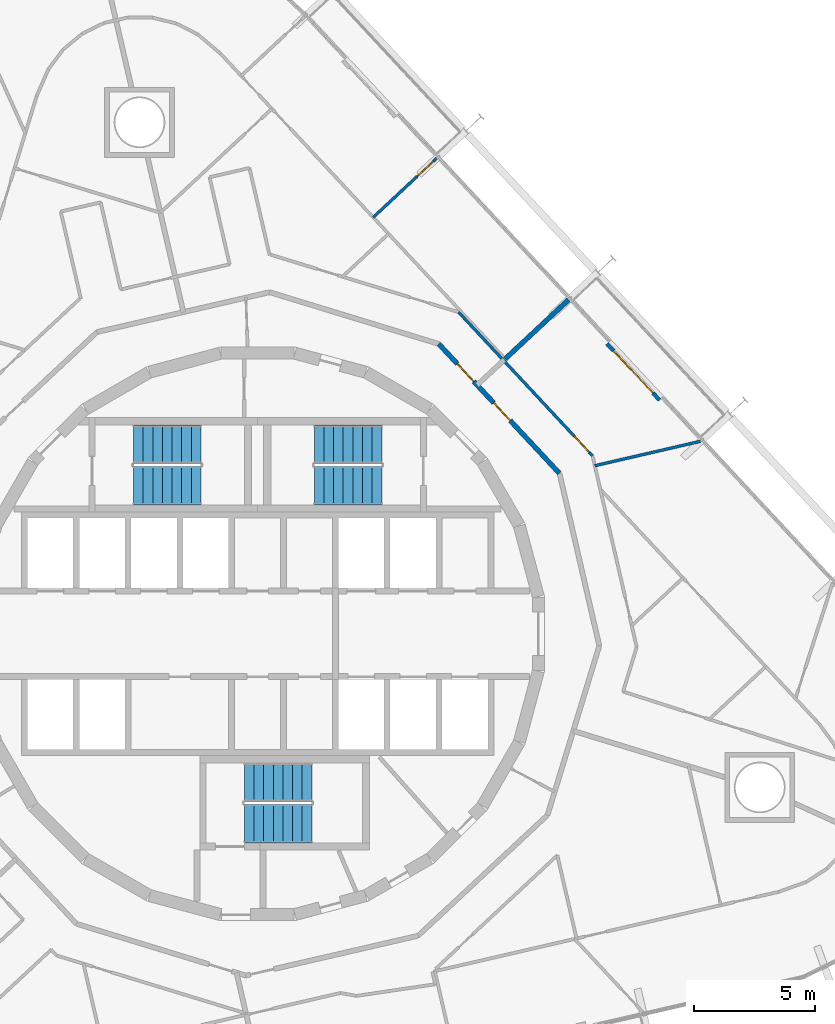
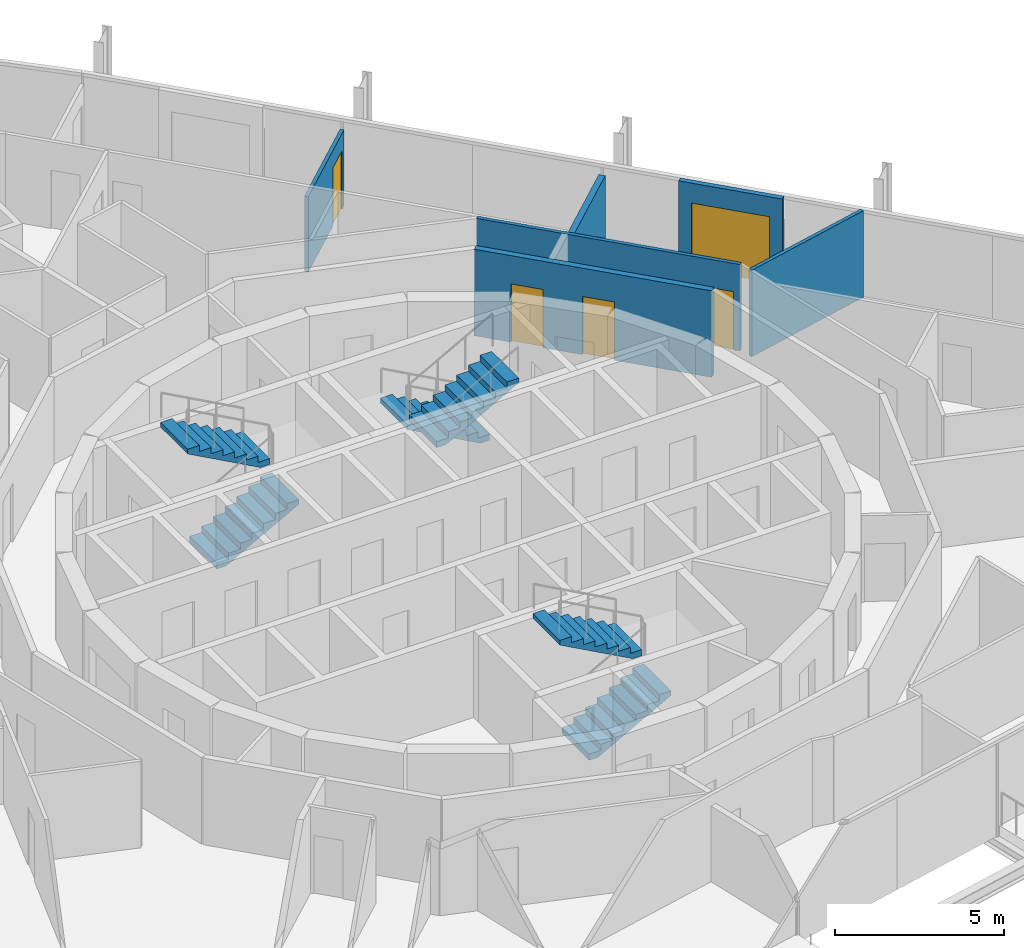
# One storey, part 17 of 18: 6 stair flights, 6 walls, 5 doors, 5 openings, 3 elements without a shape of their own.
"""IFC4 building model written with IfcOpenShell, lengths in metres."""

from ifc_helpers import new_model, si_unit, direction, frame, frame_2d, origin, place, context, subcontext, project, spatial, polyline, rectangle, outline, extrude, material, layer, layer_set, type_object, element, fill, aggregate, save


model = new_model("IFC4")

# Units and contexts
model_context = context("Model", 3, precision=1e-05, world=origin(), true_north=direction((0.0, 1.0)))
body_context = subcontext(model_context, "Body", "Model", "MODEL_VIEW")
ifc_project = project(units=[si_unit("LENGTHUNIT", "METRE"), si_unit("AREAUNIT", "SQUARE_METRE"), si_unit("VOLUMEUNIT", "CUBIC_METRE"), si_unit("PLANEANGLEUNIT", "RADIAN"), si_unit("MASSUNIT", "GRAM", prefix="KILO")], contexts=[model_context])

# Site, building, storey
site_placement = place(None, origin())
site = spatial("IfcSite", under=ifc_project, at=site_placement, CompositionType="ELEMENT")
building_placement = place(site_placement, origin())
building = spatial("IfcBuilding", under=site, at=building_placement, Name="Spindle Arch Residences", CompositionType="ELEMENT")
storey_placement = place(building_placement, frame((0.0, 0.0, 120.39990234375)))
storey = spatial("IfcBuildingStorey", under=building, at=storey_placement, Name="L29", CompositionType="ELEMENT", Elevation=120.39990234375)

# Wall, openings, doors
ifc_material_1 = material(Name="Calcium silicate block, plastered")
ifc_layer_1 = layer(ifc_material_1, 0.199951171875)
ifc_layer_set_1 = layer_set([ifc_layer_1], Name="Corridor wall 200")
wall_type_1 = type_object("IfcWallType", Name="Corridor wall 200", PredefinedType="STANDARD", material=ifc_layer_set_1)
wall_1_placement = place(storey_placement, frame((12.523193359375, 6.65869140625, 0.0), z_axis=(0.0, 0.0, 1.0), x_axis=(-0.682001841105, 0.731350455479, 0.0)))
wall_1 = element("IfcWall", 1, at=wall_1_placement, inside=storey, type_object=wall_type_1, Name="Corridor wall R3A0-W006", PredefinedType="STANDARD", context=body_context, shape_type="SweptSolid", body=[
    extrude(rectangle(XDim=7.341796875, YDim=0.199951171875, at=frame_2d((3.6708984375, 0.0))), origin(), (0.0, 0.0, 1.0), 3.1201171875),
])
opening_1_placement = place(wall_1_placement, frame((3.0, 0.0, 0.0)))
opening_1 = element("IfcOpeningElement", 2, at=opening_1_placement, cuts=wall_1, Name="Opening R3A0-FD01", PredefinedType="OPENING", context=body_context, shape_type="SweptSolid", body=[
    extrude(rectangle(XDim=1.0, YDim=2.10009765625, at=frame_2d((0.5, 1.050048828125))), frame((0.0, 0.10986328125, 0.0), z_axis=(0.0, -1.0, 0.0), x_axis=(1.0, 0.0, 0.0)), (0.0, 0.0, 1.0), 0.219970703125),
])
opening_2_placement = place(wall_1_placement, frame((5.209228515625, 0.0, 0.0)))
opening_2 = element("IfcOpeningElement", 3, at=opening_2_placement, cuts=wall_1, Name="Opening R3A0-FD02", PredefinedType="OPENING", context=body_context, shape_type="SweptSolid", body=[
    extrude(rectangle(XDim=1.0, YDim=2.10009765625, at=frame_2d((0.5, 1.050048828125))), frame((0.0, 0.10986328125, 0.0), z_axis=(0.0, -1.0, 0.0), x_axis=(1.0, 0.0, 0.0)), (0.0, 0.0, 1.0), 0.219970703125),
])
ifc_material_2 = material(Name="Timber, fire-resisting door set", Category="wood")
door_type_1 = type_object("IfcDoorType", Name="Flat entrance door 1000x2100", OperationType="NOTDEFINED", PredefinedType="DOOR", material=ifc_material_2)
door_1_placement = place(opening_1_placement, origin())
door_1 = element("IfcDoor", 4, at=door_1_placement, inside=storey, type_object=door_type_1, Name="Flat entrance door R3A0-FD01", OperationType="SINGLE_SWING_LEFT", OverallHeight=2.10009765625, OverallWidth=1.0, PredefinedType="DOOR", context=body_context, shape_type="SweptSolid", body=[
    extrude(rectangle(XDim=1.0, YDim=2.10009765625, at=frame_2d((0.5, 1.050048828125))), frame((0.0, 0.02490234375, 0.0), z_axis=(0.0, -1.0, 0.0), x_axis=(1.0, 0.0, 0.0)), (0.0, 0.0, 1.0), 0.050048828125),
])
fill(opening_1, door_1)
door_2_placement = place(opening_2_placement, origin())
door_2 = element("IfcDoor", 5, at=door_2_placement, inside=storey, type_object=door_type_1, Name="Flat entrance door R3A0-FD02", OperationType="SINGLE_SWING_RIGHT", OverallHeight=2.10009765625, OverallWidth=1.0, PredefinedType="DOOR", context=body_context, shape_type="SweptSolid", body=[
    extrude(rectangle(XDim=1.0, YDim=2.10009765625, at=frame_2d((0.5, 1.050048828125))), frame((0.0, 0.02490234375, 0.0), z_axis=(0.0, -1.0, 0.0), x_axis=(1.0, 0.0, 0.0)), (0.0, 0.0, 1.0), 0.050048828125),
])
fill(opening_2, door_2)

# Wall, opening, door
ifc_material_3 = material(Name="Plasterboard on steel studs", Category="steel")
ifc_layer_2 = layer(ifc_material_3, 0.1201171875)
ifc_layer_set_2 = layer_set([ifc_layer_2], Name="Flat partition 120")
wall_type_2 = type_object("IfcWallType", Name="Flat partition 120", PredefinedType="PARTITIONING", material=ifc_layer_set_2)
wall_2_placement = place(storey_placement, frame((13.894287109375, 7.3876953125, 0.0), z_axis=(0.0, 0.0, 1.0), x_axis=(-0.681994622729, 0.731357186721, 0.0)))
wall_2 = element("IfcWall", 6, at=wall_2_placement, inside=storey, type_object=wall_type_2, Name="Flat partition R3A0-W031", PredefinedType="PARTITIONING", context=body_context, shape_type="SweptSolid", body=[
    extrude(rectangle(XDim=8.145751953125, YDim=0.1201171875, at=frame_2d((4.07275390625, 0.0))), origin(), (0.0, 0.0, 1.0), 3.1201171875),
])
opening_3_placement = place(wall_2_placement, frame((0.199951171875, 0.0, 0.0)))
opening_3 = element("IfcOpeningElement", 7, at=opening_3_placement, cuts=wall_2, Name="Opening R3A0-ID01", PredefinedType="OPENING", context=body_context, shape_type="SweptSolid", body=[
    extrude(rectangle(XDim=0.89990234375, YDim=2.10009765625, at=frame_2d((0.449951171875, 1.050048828125))), frame((0.0, 0.070068359375, 0.0), z_axis=(0.0, -1.0, 0.0), x_axis=(1.0, 0.0, 0.0)), (0.0, 0.0, 1.0), 0.14013671875),
])
ifc_material_4 = material(Name="Timber door set", Category="wood")
door_type_2 = type_object("IfcDoorType", Name="Room door 900x2100", OperationType="NOTDEFINED", PredefinedType="DOOR", material=ifc_material_4)
door_3_placement = place(opening_3_placement, origin())
door_3 = element("IfcDoor", 8, at=door_3_placement, inside=storey, type_object=door_type_2, Name="Room door R3A0-ID01", OperationType="SINGLE_SWING_LEFT", OverallHeight=2.10009765625, OverallWidth=0.89990234375, PredefinedType="DOOR", context=body_context, shape_type="SweptSolid", body=[
    extrude(rectangle(XDim=0.89990234375, YDim=2.10009765625, at=frame_2d((0.449951171875, 1.050048828125))), frame((0.0, 0.02490234375, 0.0), z_axis=(0.0, -1.0, 0.0), x_axis=(1.0, 0.0, 0.0)), (0.0, 0.0, 1.0), 0.050048828125),
])
fill(opening_3, door_3)

# Wall
wall_3_placement = place(storey_placement, frame((18.379150390625, 7.989990234375, 0.0), z_axis=(0.0, 0.0, 1.0), x_axis=(-0.974372926515, -0.224938658471, 0.0)))
element("IfcWall", 9, at=wall_3_placement, inside=storey, type_object=wall_type_2, Name="Flat partition R3A0-W036", PredefinedType="PARTITIONING", context=body_context, shape_type="SweptSolid", body=[
    extrude(rectangle(XDim=4.50537109375, YDim=0.1201171875, at=frame_2d((2.252685546875, 0.0))), origin(), (0.0, 0.0, 1.0), 3.1201171875),
])

# Wall, opening, door
ifc_material_5 = material(Name="Plasterboard on steel studs", Category="steel")
ifc_layer_3 = layer(ifc_material_5, 0.1201171875)
ifc_layer_set_3 = layer_set([ifc_layer_3], Name="Flat partition 120 under beam 2730")
wall_type_3 = type_object("IfcWallType", Name="Flat partition 120 under beam 2730", PredefinedType="PARTITIONING", material=ifc_layer_set_3)
wall_4_placement = place(storey_placement, frame((7.427490234375, 19.734375, 0.0), z_axis=(0.0, 0.0, 1.0), x_axis=(-0.73139345201, -0.681955730497, 0.0)))
wall_4 = element("IfcWall", 10, at=wall_4_placement, inside=storey, type_object=wall_type_3, Name="Flat partition R3A0-W050", PredefinedType="PARTITIONING", context=body_context, shape_type="SweptSolid", body=[
    extrude(rectangle(XDim=3.60009765625, YDim=0.1201171875, at=frame_2d((1.800048828125, 0.0))), origin(), (0.0, 0.0, 1.0), 2.72998046875),
])
opening_4_placement = place(wall_4_placement, frame((0.199951171875, 0.0, 0.0)))
opening_4 = element("IfcOpeningElement", 11, at=opening_4_placement, cuts=wall_4, Name="Opening R3A0-ID09", PredefinedType="OPENING", context=body_context, shape_type="SweptSolid", body=[
    extrude(rectangle(XDim=0.89990234375, YDim=2.10009765625, at=frame_2d((0.449951171875, 1.050048828125))), frame((0.0, 0.070068359375, 0.0), z_axis=(0.0, -1.0, 0.0), x_axis=(1.0, 0.0, 0.0)), (0.0, 0.0, 1.0), 0.14013671875),
])
door_4_placement = place(opening_4_placement, origin())
door_4 = element("IfcDoor", 12, at=door_4_placement, inside=storey, type_object=door_type_2, Name="Room door R3A0-ID09", OperationType="SINGLE_SWING_LEFT", OverallHeight=2.10009765625, OverallWidth=0.89990234375, PredefinedType="DOOR", context=body_context, shape_type="SweptSolid", body=[
    extrude(rectangle(XDim=0.89990234375, YDim=2.10009765625, at=frame_2d((0.449951171875, 1.050048828125))), frame((0.0, 0.02490234375, 0.0), z_axis=(0.0, -1.0, 0.0), x_axis=(1.0, 0.0, 0.0)), (0.0, 0.0, 1.0), 0.050048828125),
])
fill(opening_4, door_4)

# Wall
ifc_material_6 = material(Name="Calcium silicate block, plastered")
ifc_layer_4 = layer(ifc_material_6, 0.199951171875)
ifc_layer_set_4 = layer_set([ifc_layer_4], Name="Flat party wall 200 under beam 2730")
wall_type_4 = type_object("IfcWallType", Name="Flat party wall 200 under beam 2730", PredefinedType="STANDARD", material=ifc_layer_set_4)
wall_5_placement = place(storey_placement, frame((12.9033203125, 13.8623046875, 0.0), z_axis=(0.0, 0.0, 1.0), x_axis=(-0.731328084739, -0.682025829769, 0.0)))
element("IfcWall", 13, at=wall_5_placement, inside=storey, type_object=wall_type_4, Name="Flat party wall R3A0-W019", PredefinedType="STANDARD", context=body_context, shape_type="SweptSolid", body=[
    extrude(rectangle(XDim=3.60009765625, YDim=0.199951171875, at=frame_2d((1.800048828125, 0.0))), origin(), (0.0, 0.0, 1.0), 2.72998046875),
])

# Wall, opening, door
ifc_material_7 = material(Name="Non-combustible mineral wool insulated aluminium faced external wall (K0)", Category="aluminium")
ifc_layer_5 = layer(ifc_material_7, 0.159912109375)
ifc_layer_set_5 = layer_set([ifc_layer_5], Name="Insulated external wall panel 160")
wall_type_5 = type_object("IfcWallType", Name="Insulated external wall panel 160", PredefinedType="STANDARD", material=ifc_layer_set_5)
wall_6_placement = place(storey_placement, frame((16.673828125, 9.701416015625, 0.0), z_axis=(0.0, 0.0, 1.0), x_axis=(-0.681994703002, 0.731357111866, 0.0)))
wall_6 = element("IfcWall", 14, at=wall_6_placement, inside=storey, type_object=wall_type_5, Name="External wall L29 bay 7", PredefinedType="STANDARD", context=body_context, shape_type="SweptSolid", body=[
    extrude(rectangle(XDim=3.199951171875, YDim=0.159912109375, at=frame_2d((1.60009765625, 0.0))), origin(), (0.0, 0.0, 1.0), 3.1201171875),
])
opening_5_placement = place(wall_6_placement, frame((0.39990234375, 0.0, 0.0)))
opening_5 = element("IfcOpeningElement", 15, at=opening_5_placement, cuts=wall_6, Name="Opening BD07", PredefinedType="OPENING", context=body_context, shape_type="SweptSolid", body=[
    extrude(rectangle(XDim=2.39990234375, YDim=2.39990234375, at=frame_2d((1.199951171875, 1.199951171875))), frame((0.0, 0.08984375, 0.0), z_axis=(0.0, -1.0, 0.0), x_axis=(1.0, 0.0, 0.0)), (0.0, 0.0, 1.0), 0.179931640625),
])
ifc_material_8 = material(Name="Bronze aluminium frame, tinted double glazing", Category="aluminium")
door_type_3 = type_object("IfcDoorType", Name="Sliding glazed balcony door 2400x2400", OperationType="DOUBLE_DOOR_SLIDING", PredefinedType="DOOR", material=ifc_material_8)
door_5_placement = place(opening_5_placement, origin())
door_5 = element("IfcDoor", 16, at=door_5_placement, inside=storey, type_object=door_type_3, Name="Balcony door BD07", OperationType="DOUBLE_DOOR_SLIDING", OverallHeight=2.39990234375, OverallWidth=2.39990234375, PredefinedType="DOOR", context=body_context, shape_type="SweptSolid", body=[
    extrude(rectangle(XDim=2.39990234375, YDim=2.39990234375, at=frame_2d((1.199951171875, 1.199951171875))), frame((0.0, 0.02490234375, 0.0), z_axis=(0.0, -1.0, 0.0), x_axis=(1.0, 0.0, 0.0)), (0.0, 0.0, 1.0), 0.050048828125),
])
fill(opening_5, door_5)

# Stair, stair flights
ifc_material_9 = material(Name="Concrete C50/60", Category="concrete")
stair_type = type_object("IfcStairType", Name="Exit stair 16 risers", PredefinedType="HALF_TURN_STAIR", material=ifc_material_9)
stair_1_placement = place(storey_placement, origin())
stair_1 = element("IfcStair", 17, at=stair_1_placement, inside=storey, type_object=stair_type, Name="L29 Exit stair ST1", PredefinedType="HALF_TURN_STAIR")
ifc_material_10 = material(Name="Concrete C50/60", Category="concrete")
stair_flight_type = type_object("IfcStairFlightType", Name="Exit stair flight", PredefinedType="STRAIGHT", material=ifc_material_10)
stair_flight_1_placement = place(storey_placement, frame((5.14990234375, 7.8701171875, 0.0), z_axis=(0.0, 0.0, 1.0), x_axis=(-1.0, 0.0, 0.0)))
stair_flight_1 = element("IfcStairFlight", 18, at=stair_flight_1_placement, type_object=stair_flight_type, Name="ST1 flight 1", NumberOfRisers=8, NumberOfTreads=7, PredefinedType="STRAIGHT", RiserHeight=0.21875, TreadLength=0.4, context=body_context, shape_type="SweptSolid", body=[
    extrude(outline(polyline([(0.0, 0.0), (0.0, 0.21875), (0.39990234375, 0.21875), (0.39990234375, 0.4375), (0.800048828125, 0.4375), (0.800048828125, 0.65625), (1.199951171875, 0.65625), (1.199951171875, 0.875), (1.60009765625, 0.875), (1.60009765625, 1.09375), (2.0, 1.09375), (2.0, 1.3125), (2.39990234375, 1.3125), (2.39990234375, 1.53125), (2.800048828125, 1.53125), (2.800048828125, 1.75), (2.800048828125, 1.3603515625), (0.3125, 0.0), (0.0, 0.0)])), frame((0.0, 0.800048828125, 0.0), z_axis=(0.0, -1.0, 0.0), x_axis=(1.0, 0.0, 0.0)), (0.0, 0.0, 1.0), 1.60009765625),
])
stair_flight_2_placement = place(storey_placement, frame((2.35009765625, 6.14990234375, 1.75), z_axis=(0.0, 0.0, 1.0), x_axis=(1.0, 0.0, 0.0)))
stair_flight_2 = element("IfcStairFlight", 19, at=stair_flight_2_placement, type_object=stair_flight_type, Name="ST1 flight 2", NumberOfRisers=8, NumberOfTreads=7, PredefinedType="STRAIGHT", RiserHeight=0.21875, TreadLength=0.4, context=body_context, shape_type="SweptSolid", body=[
    extrude(outline(polyline([(0.0, 0.0), (0.0, 0.21875), (0.39990234375, 0.21875), (0.39990234375, 0.4375), (0.800048828125, 0.4375), (0.800048828125, 0.65625), (1.199951171875, 0.65625), (1.199951171875, 0.875), (1.60009765625, 0.875), (1.60009765625, 1.09375), (2.0, 1.09375), (2.0, 1.3125), (2.39990234375, 1.3125), (2.39990234375, 1.53125), (2.800048828125, 1.53125), (2.800048828125, 1.75), (2.800048828125, 1.3603515625), (0.3125, 0.0), (0.0, 0.0)])), frame((0.0, 0.800048828125, 0.0), z_axis=(0.0, -1.0, 0.0), x_axis=(1.0, 0.0, 0.0)), (0.0, 0.0, 1.0), 1.60009765625),
])
aggregate(stair_1, [stair_flight_1, stair_flight_2])

stair_2_placement = place(storey_placement, origin())
stair_2 = element("IfcStair", 20, at=stair_2_placement, inside=storey, type_object=stair_type, Name="L29 Exit stair ST2", PredefinedType="HALF_TURN_STAIR")
stair_flight_3_placement = place(storey_placement, frame((-5.14990234375, 6.14990234375, 0.0), z_axis=(0.0, 0.0, 1.0), x_axis=(1.0, 0.0, 0.0)))
stair_flight_3 = element("IfcStairFlight", 21, at=stair_flight_3_placement, type_object=stair_flight_type, Name="ST2 flight 1", NumberOfRisers=8, NumberOfTreads=7, PredefinedType="STRAIGHT", RiserHeight=0.21875, TreadLength=0.4, context=body_context, shape_type="SweptSolid", body=[
    extrude(outline(polyline([(0.0, 0.0), (0.0, 0.21875), (0.39990234375, 0.21875), (0.39990234375, 0.4375), (0.800048828125, 0.4375), (0.800048828125, 0.65625), (1.199951171875, 0.65625), (1.199951171875, 0.875), (1.60009765625, 0.875), (1.60009765625, 1.09375), (2.0, 1.09375), (2.0, 1.3125), (2.39990234375, 1.3125), (2.39990234375, 1.53125), (2.800048828125, 1.53125), (2.800048828125, 1.75), (2.800048828125, 1.3603515625), (0.3125, 0.0), (0.0, 0.0)])), frame((0.0, 0.800048828125, 0.0), z_axis=(0.0, -1.0, 0.0), x_axis=(1.0, 0.0, 0.0)), (0.0, 0.0, 1.0), 1.60009765625),
])
stair_flight_4_placement = place(storey_placement, frame((-2.35009765625, 7.8701171875, 1.75), z_axis=(0.0, 0.0, 1.0), x_axis=(-1.0, 0.0, 0.0)))
stair_flight_4 = element("IfcStairFlight", 22, at=stair_flight_4_placement, type_object=stair_flight_type, Name="ST2 flight 2", NumberOfRisers=8, NumberOfTreads=7, PredefinedType="STRAIGHT", RiserHeight=0.21875, TreadLength=0.4, context=body_context, shape_type="SweptSolid", body=[
    extrude(outline(polyline([(0.0, 0.0), (0.0, 0.21875), (0.39990234375, 0.21875), (0.39990234375, 0.4375), (0.800048828125, 0.4375), (0.800048828125, 0.65625), (1.199951171875, 0.65625), (1.199951171875, 0.875), (1.60009765625, 0.875), (1.60009765625, 1.09375), (2.0, 1.09375), (2.0, 1.3125), (2.39990234375, 1.3125), (2.39990234375, 1.53125), (2.800048828125, 1.53125), (2.800048828125, 1.75), (2.800048828125, 1.3603515625), (0.3125, 0.0), (0.0, 0.0)])), frame((0.0, 0.800048828125, 0.0), z_axis=(0.0, -1.0, 0.0), x_axis=(1.0, 0.0, 0.0)), (0.0, 0.0, 1.0), 1.60009765625),
])
aggregate(stair_2, [stair_flight_3, stair_flight_4])

stair_3_placement = place(storey_placement, origin())
stair_3 = element("IfcStair", 23, at=stair_3_placement, inside=storey, type_object=stair_type, Name="L29 Exit stair ST3", PredefinedType="HALF_TURN_STAIR")
stair_flight_5_placement = place(storey_placement, frame((-0.550048828125, -7.8701171875, 0.0), z_axis=(0.0, 0.0, 1.0), x_axis=(1.0, 0.0, 0.0)))
stair_flight_5 = element("IfcStairFlight", 24, at=stair_flight_5_placement, type_object=stair_flight_type, Name="ST3 flight 1", NumberOfRisers=8, NumberOfTreads=7, PredefinedType="STRAIGHT", RiserHeight=0.21875, TreadLength=0.4, context=body_context, shape_type="SweptSolid", body=[
    extrude(outline(polyline([(0.0, 0.0), (0.0, 0.21875), (0.39990234375, 0.21875), (0.39990234375, 0.4375), (0.800048828125, 0.4375), (0.800048828125, 0.65625), (1.199951171875, 0.65625), (1.199951171875, 0.875), (1.60009765625, 0.875), (1.60009765625, 1.09375), (2.0, 1.09375), (2.0, 1.3125), (2.39990234375, 1.3125), (2.39990234375, 1.53125), (2.800048828125, 1.53125), (2.800048828125, 1.75), (2.800048828125, 1.3603515625), (0.3125, 0.0), (0.0, 0.0)])), frame((0.0, 0.800048828125, 0.0), z_axis=(0.0, -1.0, 0.0), x_axis=(1.0, 0.0, 0.0)), (0.0, 0.0, 1.0), 1.60009765625),
])
stair_flight_6_placement = place(storey_placement, frame((2.25, -6.14990234375, 1.75), z_axis=(0.0, 0.0, 1.0), x_axis=(-1.0, 0.0, 0.0)))
stair_flight_6 = element("IfcStairFlight", 25, at=stair_flight_6_placement, type_object=stair_flight_type, Name="ST3 flight 2", NumberOfRisers=8, NumberOfTreads=7, PredefinedType="STRAIGHT", RiserHeight=0.21875, TreadLength=0.4, context=body_context, shape_type="SweptSolid", body=[
    extrude(outline(polyline([(0.0, 0.0), (0.0, 0.21875), (0.39990234375, 0.21875), (0.39990234375, 0.4375), (0.800048828125, 0.4375), (0.800048828125, 0.65625), (1.199951171875, 0.65625), (1.199951171875, 0.875), (1.60009765625, 0.875), (1.60009765625, 1.09375), (2.0, 1.09375), (2.0, 1.3125), (2.39990234375, 1.3125), (2.39990234375, 1.53125), (2.800048828125, 1.53125), (2.800048828125, 1.75), (2.800048828125, 1.3603515625), (0.3125, 0.0), (0.0, 0.0)])), frame((0.0, 0.800048828125, 0.0), z_axis=(0.0, -1.0, 0.0), x_axis=(1.0, 0.0, 0.0)), (0.0, 0.0, 1.0), 1.60009765625),
])
aggregate(stair_3, [stair_flight_5, stair_flight_6])

save(model, "model.ifc")
